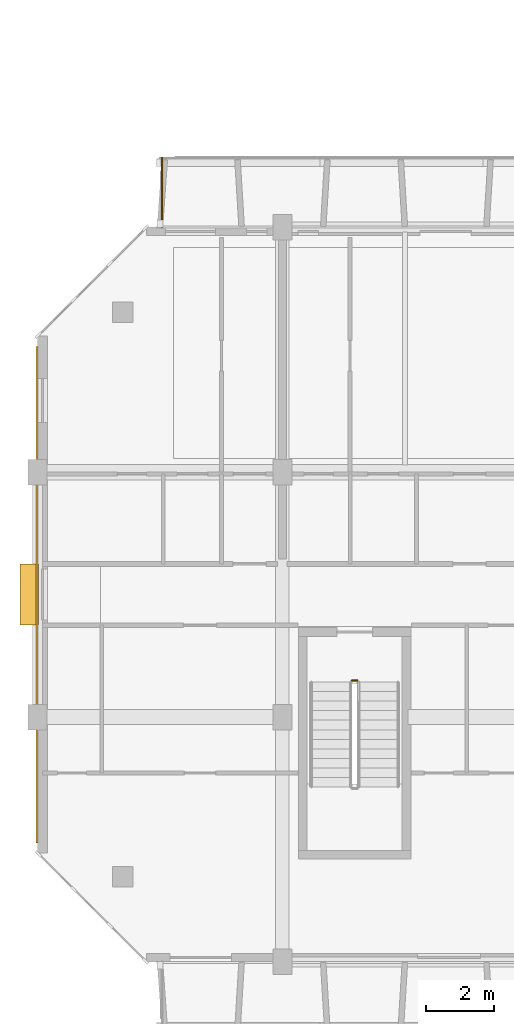
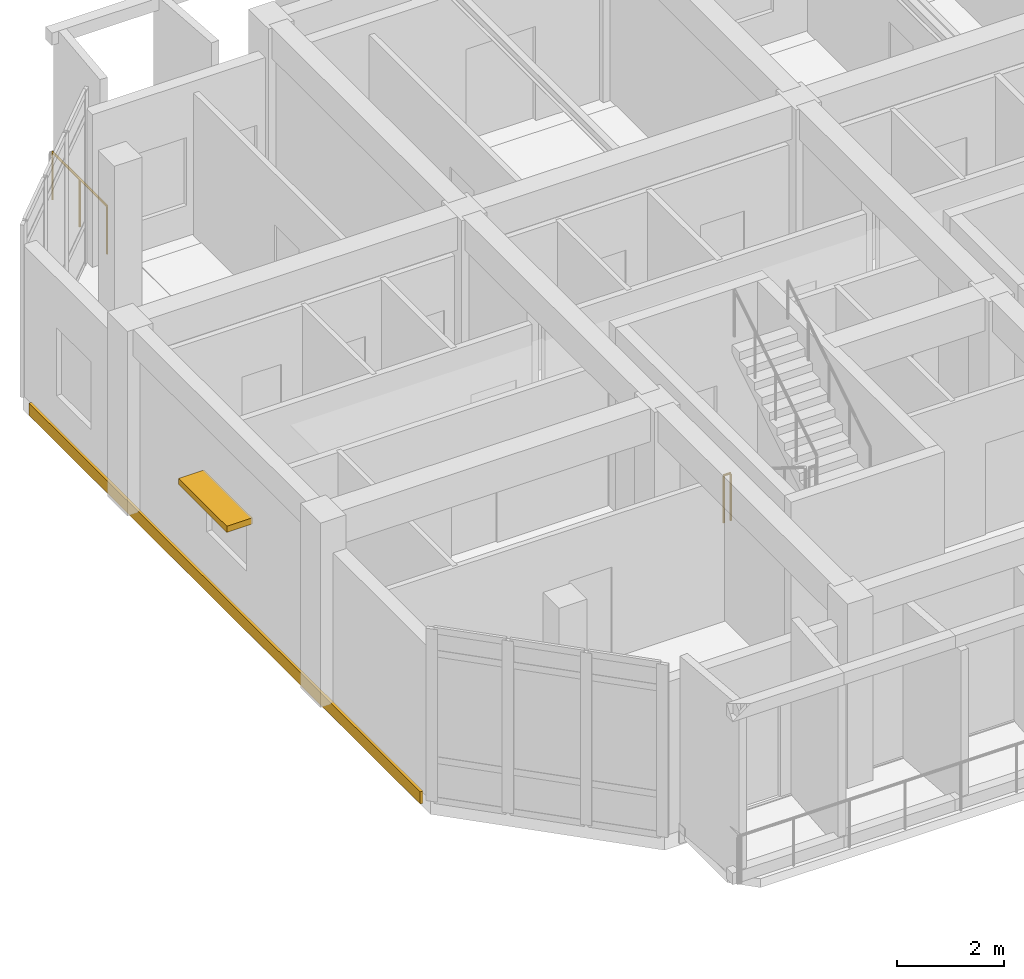
# One storey, part 74 of 85: 2 railings, 1 covering, 1 shading device.
"""IFC4 building model written with IfcOpenShell, lengths in metres."""

import ifcopenshell
import ifcopenshell.guid

model = None  # the IFC model being written
_history = None  # IfcOwnerHistory: only IFC2X3 demands one
_inside = {}  # id of a spatial element -> (the spatial element, [elements in it])
_under = {}  # id of a project, library or spatial element -> (it, [spatial elements below it])
_declared = {}  # id of a project -> (the project, [libraries it declares])
_typed = {}  # id of a type object -> (the type object, [elements of that type])
_made_of = {}  # id of a material, layer set ... -> (it, [elements and type objects made of it])


def new_model(schema):
    """Start an empty IFC model of exactly this schema.

    Asked for "IFC4X3", IfcOpenShell would pick the latest addendum, in which some entities
    have other attributes; the version numbers below select the first issue.
    IFC2X3 requires an IfcOwnerHistory on every rooted entity: one is made here for all.
    """
    global model, _history
    if schema == "IFC4X3":
        model = ifcopenshell.file(schema_version=(4, 3, 0, 0))
    else:
        model = ifcopenshell.file(schema=schema)
    _inside.clear()
    _under.clear()
    _declared.clear()
    _typed.clear()
    _made_of.clear()
    _history = None
    if model.schema == "IFC2X3":
        org = make("IfcOrganization", Name="unknown")
        user = make(
            "IfcPersonAndOrganization",
            ThePerson=make("IfcPerson", FamilyName="unknown"),
            TheOrganization=org,
        )
        app = make(
            "IfcApplication",
            ApplicationDeveloper=org,
            Version="unknown",
            ApplicationFullName="unknown",
            ApplicationIdentifier="unknown",
        )
        _history = make(
            "IfcOwnerHistory",
            OwningUser=user,
            OwningApplication=app,
            ChangeAction="ADDED",
            CreationDate=0,
        )
    return model


def make(cls, **values):
    """One entity of the class cls with the attributes given. An attribute that is None is left unset."""
    return model.create_entity(
        cls, **{name: value for name, value in values.items() if value is not None}
    )


def rooted(cls, **values):
    """An entity with a GlobalId (a new one), such as an element, a storey or a relation."""
    return make(cls, GlobalId=ifcopenshell.guid.new(), OwnerHistory=_history, **values)


def si_unit(unit_type, name, prefix=None):
    """IfcSIUnit, for example si_unit("LENGTHUNIT", "METRE", prefix="MILLI")."""
    return make("IfcSIUnit", UnitType=unit_type, Prefix=prefix, Name=name)


def assignment(units):
    """IfcUnitAssignment: the units of a project."""
    return None if units is None else make("IfcUnitAssignment", Units=units)


def point(xyz):
    """IfcCartesianPoint."""
    return None if xyz is None else make("IfcCartesianPoint", Coordinates=xyz)


def direction(xyz):
    """IfcDirection."""
    return None if xyz is None else make("IfcDirection", DirectionRatios=xyz)


def frame(location, z_axis=None, x_axis=None):
    """IfcAxis2Placement3D, a coordinate frame: its origin and axes. An axis left out is left unset."""
    return make(
        "IfcAxis2Placement3D",
        Location=point(location),
        Axis=direction(z_axis),
        RefDirection=direction(x_axis),
    )


def frame_2d(location, x_axis=None):
    """IfcAxis2Placement2D, a coordinate frame in the plane: its origin and x axis."""
    return make(
        "IfcAxis2Placement2D", Location=point(location), RefDirection=direction(x_axis)
    )


def origin():
    """The frame at (0, 0, 0) with its axes left unset."""
    return frame((0.0, 0.0, 0.0))


def origin_2d():
    """The frame at (0, 0) in the plane with its x axis left unset."""
    return frame_2d((0.0, 0.0))


def place(relative_to, where):
    """IfcLocalPlacement: puts the frame where relative to a parent placement (None: the world)."""
    return make(
        "IfcLocalPlacement", PlacementRelTo=relative_to, RelativePlacement=where
    )


def context(
    kind, dimensions, precision=None, world=None, true_north=None, identifier=None
):
    """IfcGeometricRepresentationContext, for example the 3D "Model" context."""
    return make(
        "IfcGeometricRepresentationContext",
        ContextIdentifier=identifier,
        ContextType=kind,
        CoordinateSpaceDimension=dimensions,
        Precision=precision,
        WorldCoordinateSystem=world,
        TrueNorth=true_north,
    )


def subcontext(parent, identifier, kind, view, scale=None):
    """IfcGeometricRepresentationSubContext, for example "Body" below "Model"."""
    return make(
        "IfcGeometricRepresentationSubContext",
        ContextIdentifier=identifier,
        ContextType=kind,
        ParentContext=parent,
        TargetScale=scale,
        TargetView=view,
    )


def project(units=None, contexts=None):
    """IfcProject with its units and contexts."""
    return rooted(
        "IfcProject",
        Name="project",
        RepresentationContexts=contexts,
        UnitsInContext=assignment(units),
    )


def spatial(cls, under=None, at=None, **own):
    """A site, building, storey or space (cls), placed at a placement, below another one or the project."""
    s = rooted(cls, ObjectPlacement=at, **own)
    if under is not None:
        _under.setdefault(under.id(), (under, []))[1].append(s)
    return s


def profile(cls, at=None, kind="AREA", **sizes):
    """A parametric profile (cls). Its sizes go by their IFC names, for example OverallWidth=200.0."""
    return make(cls, ProfileType=kind, Position=at, **sizes)


def rectangle(**sizes):
    """IfcRectangleProfileDef."""
    return profile("IfcRectangleProfileDef", **sizes)


def circle(**sizes):
    """IfcCircleProfileDef."""
    return profile("IfcCircleProfileDef", **sizes)


def extrude(swept, where, along, depth):
    """IfcExtrudedAreaSolid: the profile swept, set in the frame where, extruded along a direction by depth."""
    return make(
        "IfcExtrudedAreaSolid",
        SweptArea=swept,
        Position=where,
        ExtrudedDirection=direction(along),
        Depth=depth,
    )


def shape(context_of_items, identifier, shape_type, items):
    """IfcShapeRepresentation: the items that make up one representation, for example the "Body"."""
    return make(
        "IfcShapeRepresentation",
        ContextOfItems=context_of_items,
        RepresentationIdentifier=identifier,
        RepresentationType=shape_type,
        Items=items,
    )


def material(Name=None, Category=None):
    """IfcMaterial."""
    return make("IfcMaterial", Name=Name, Category=Category)


def layer(
    of_material, thickness, ventilated=None, Name=None, Category=None, Priority=None
):
    """IfcMaterialLayer: one layer of a wall or slab, of a material (None: an air gap)."""
    return make(
        "IfcMaterialLayer",
        Material=of_material,
        LayerThickness=thickness,
        IsVentilated=ventilated,
        Name=Name,
        Category=Category,
        Priority=Priority,
    )


def layer_set(layers, Name=None):
    """IfcMaterialLayerSet."""
    return make("IfcMaterialLayerSet", MaterialLayers=layers, LayerSetName=Name)


def made_of(thing, what):
    """Note that an element or type object is made of a material, layer set ...; save() writes the relation."""
    if what is not None:
        _made_of.setdefault(what.id(), (what, []))[1].append(thing)
    return thing


def type_object(cls, material=None, **own):
    """A type object (cls), such as IfcWallType, which elements share."""
    return made_of(rooted(cls, **own), material)


def element(
    cls,
    number,
    at=None,
    inside=None,
    cuts=None,
    type_object=None,
    material=None,
    context=None,
    identifier="Body",
    shape_type=None,
    held_by="IfcProductDefinitionShape",
    body=None,
    shapes=None,
    **own,
):
    """One element of the class cls, such as IfcWall. Its Tag is "e" and its number.

    at: its placement. inside: the storey or other place that contains it. cuts: it is an
    opening in that element (IfcRelVoidsElement). A single representation is given by context,
    identifier, shape_type and body (its items); several are given by shapes. held_by: the class
    of the entity that holds the representations. save() writes the other relations.
    """
    e = rooted(cls, Tag="e%d" % number, ObjectPlacement=at, **own)
    if body is not None:
        shapes = [shape(context, identifier, shape_type, body)]
    if shapes is not None:
        e.Representation = make(held_by, Representations=shapes)
    if inside is not None:
        _inside.setdefault(inside.id(), (inside, []))[1].append(e)
    if cuts is not None:
        rooted(
            "IfcRelVoidsElement", RelatingBuildingElement=cuts, RelatedOpeningElement=e
        )
    if type_object is not None:
        _typed.setdefault(type_object.id(), (type_object, []))[1].append(e)
    return made_of(e, material)


def aggregate(whole, parts):
    """IfcRelAggregates: a whole, such as a stair, and the parts it consists of."""
    return rooted("IfcRelAggregates", RelatingObject=whole, RelatedObjects=parts)


def save(model, path):
    """Write the relations noted so far, then the file.

    IfcRelAggregates (storeys below a building ...), IfcRelContainedInSpatialStructure (elements
    in a storey), IfcRelDefinesByType, IfcRelAssociatesMaterial and IfcRelDeclares: one each for
    every whole, place, type object, material and project.
    """
    for whole, parts in _under.values():
        aggregate(whole, parts)
    for where, things in _inside.values():
        rooted(
            "IfcRelContainedInSpatialStructure",
            RelatedElements=things,
            RelatingStructure=where,
        )
    for kind, things in _typed.values():
        rooted("IfcRelDefinesByType", RelatedObjects=things, RelatingType=kind)
    for what, things in _made_of.values():
        rooted("IfcRelAssociatesMaterial", RelatedObjects=things, RelatingMaterial=what)
    for by, libraries in _declared.values():
        rooted("IfcRelDeclares", RelatingContext=by, RelatedDefinitions=libraries)
    model.write(path)


model = new_model("IFC4")

# Units and contexts
model_context = context("Model", 3, precision=1e-05, world=origin(), true_north=direction((0.0, 1.0)))
body_context = subcontext(model_context, "Body", "Model", "MODEL_VIEW")
ifc_project = project(units=[si_unit("LENGTHUNIT", "METRE"), si_unit("AREAUNIT", "SQUARE_METRE"), si_unit("VOLUMEUNIT", "CUBIC_METRE"), si_unit("PLANEANGLEUNIT", "RADIAN"), si_unit("MASSUNIT", "GRAM", prefix="KILO")], contexts=[model_context])

# Site, building, storey
site_placement = place(None, origin())
site = spatial("IfcSite", under=ifc_project, at=site_placement, CompositionType="ELEMENT")
building_placement = place(site_placement, origin())
building = spatial("IfcBuilding", under=site, at=building_placement, Name="Ochrevale Crest", CompositionType="ELEMENT")
storey_placement = place(building_placement, frame((0.0, 0.0, 4.5)))
storey = spatial("IfcBuildingStorey", under=building, at=storey_placement, Name="L01", CompositionType="ELEMENT", Elevation=4.5)

# Covering
ifc_material_1 = material(Name="Glazed terracotta rainscreen tile", Category="masonry")
ifc_layer = layer(ifc_material_1, 0.048095703125)
ifc_layer_set = layer_set([ifc_layer], Name="Glazed terracotta rainscreen tile")
covering_type = type_object("IfcCoveringType", Name="COV-CLAD-TER", PredefinedType="CLADDING", material=ifc_layer_set)
covering_placement = place(storey_placement, frame((-0.014404296875, 82.800048828125, -0.26025390625), z_axis=(0.0, 0.0, 1.0), x_axis=(0.0, -1.0, 0.0)))
element("IfcCovering", 1, at=covering_placement, inside=storey, type_object=covering_type, Name="Block B L01 terracotta slab-edge spandrel cladding", PredefinedType="CLADDING", context=body_context, shape_type="SweptSolid", body=[
    extrude(rectangle(XDim=14.60009765625, YDim=0.06005859375, at=origin_2d()), origin(), (0.0, 0.0, 1.0), 0.280029296875),
])

# Railings
ifc_material_2 = material(Name="Galvanised steel", Category="steel")
railing_type_1 = type_object("IfcRailingType", Name="RL-BAL-1100", PredefinedType="BALUSTRADE", material=ifc_material_2)
railing_1_placement = place(storey_placement, frame((3.659912109375, 93.60009765625, 0.0)))
element("IfcRailing", 2, at=railing_1_placement, inside=storey, type_object=railing_type_1, Name="Block B L01 N-W balcony side guard", PredefinedType="BALUSTRADE", context=body_context, shape_type="SweptSolid", body=[
    extrude(circle(Radius=0.02392578125, at=origin_2d()), frame((0.0, 0.0, 1.0859375), z_axis=(0.0, 1.0, 0.0), x_axis=(-1.0, 0.0, 0.0)), (0.0, 0.0, 1.0), 2.039794921875),
    extrude(circle(Radius=0.02099609375, at=origin_2d()), origin(), (0.0, 0.0, 1.0), 1.06201171875),
    extrude(circle(Radius=0.02099609375, at=origin_2d()), frame((0.0, 1.02001953125, 0.0)), (0.0, 0.0, 1.0), 1.06201171875),
    extrude(circle(Radius=0.02099609375, at=origin_2d()), frame((0.0, 2.039794921875, 0.0)), (0.0, 0.0, 1.0), 1.06201171875),
])
railing_type_2 = type_object("IfcRailingType", Name="RL-ST-GUARD", PredefinedType="BALUSTRADE", material=ifc_material_2)
railing_2_placement = place(storey_placement, frame((9.25, 80.27490234375, 0.0)))
element("IfcRailing", 3, at=railing_2_placement, inside=storey, type_object=railing_type_2, Name="L01 ST-B1 stair guard 4", PredefinedType="BALUSTRADE", context=body_context, shape_type="SweptSolid", body=[
    extrude(circle(Radius=0.02392578125, at=origin_2d()), frame((0.0, 0.0, 1.076171875), z_axis=(1.0, 0.0, 0.0), x_axis=(0.0, 1.0, 0.0)), (0.0, 0.0, 1.0), 0.14990234375),
    extrude(circle(Radius=0.02099609375, at=origin_2d()), origin(), (0.0, 0.0, 1.0), 1.052001953125),
    extrude(circle(Radius=0.02099609375, at=origin_2d()), frame((0.14990234375, 0.0, 0.0)), (0.0, 0.0, 1.0), 1.052001953125),
])

# Shading device
ifc_material_3 = material(Name="Anodised aluminium 6063-T5", Category="aluminium")
shading_device_type = type_object("IfcShadingDeviceType", Name="SHD-SUNSHADE-OC", PredefinedType="USERDEFINED", material=ifc_material_3)
shading_device_placement = place(storey_placement, frame((-0.239990234375, 82.800048828125, 2.2099609375), z_axis=(0.0, 0.0, 1.0), x_axis=(1.0, 0.0, 0.0)))
element("IfcShadingDevice", 4, at=shading_device_placement, inside=storey, type_object=shading_device_type, Name="Block B L01 gable window sunshade W", ObjectType="HORIZONTAL SUNSHADE", PredefinedType="USERDEFINED", context=body_context, shape_type="SweptSolid", body=[
    extrude(rectangle(XDim=0.550048828125, YDim=1.800048828125, at=origin_2d()), origin(), (0.0, 0.0, 1.0), 0.139892578125),
])

save(model, "model.ifc")
